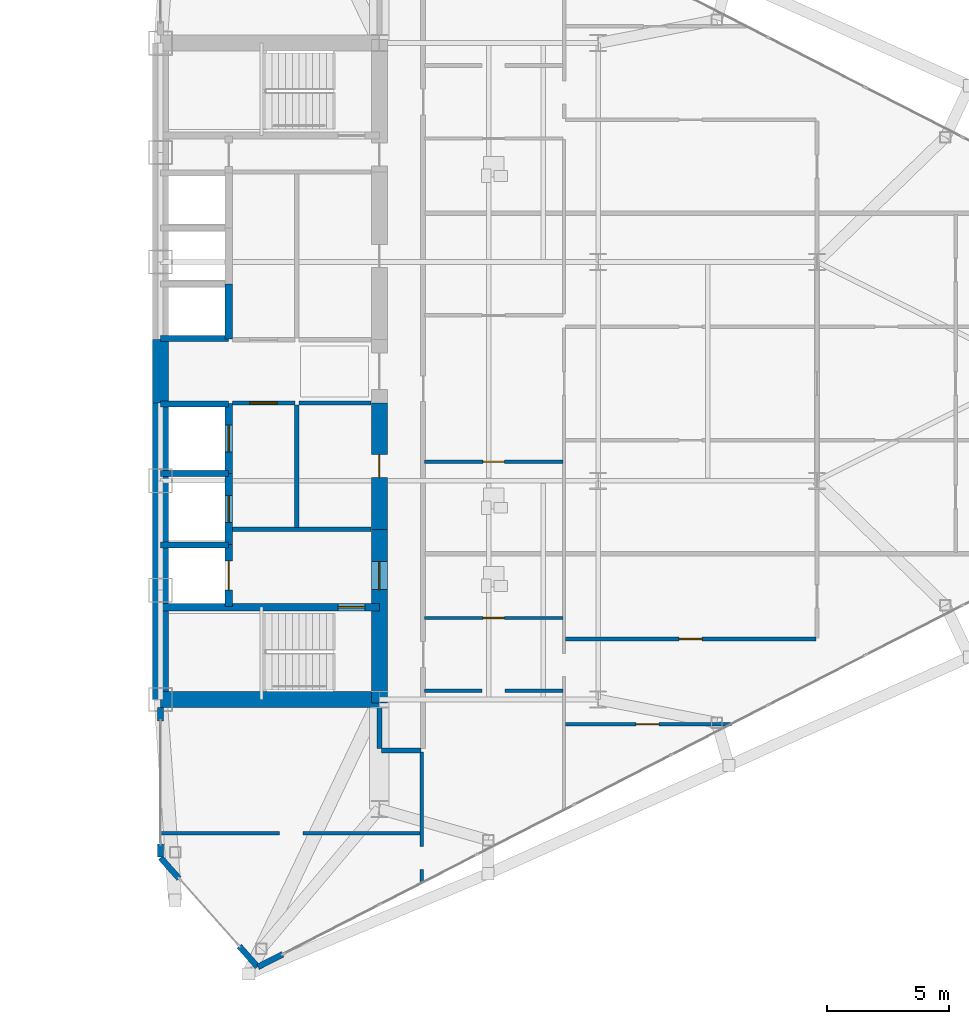
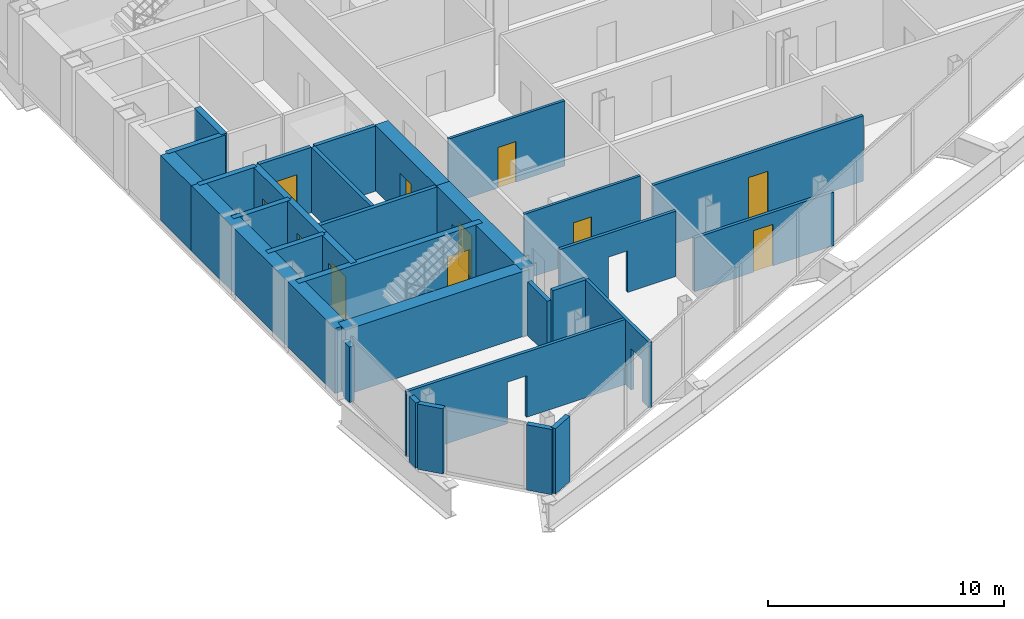
# One storey, part 22 of 28: 32 walls, 11 doors, 14 openings.
"""IFC4 building model written with IfcOpenShell, lengths in metres."""

from ifc_helpers import new_model, si_unit, direction, frame, frame_2d, origin, place, context, subcontext, project, spatial, rectangle, extrude, source, transform, mapped, material, layer, layer_set, type_object, type_shapes, element, fill, save


model = new_model("IFC4")

# Units and contexts
model_context = context("Model", 3, precision=1e-05, world=origin(), true_north=direction((0.0, 1.0)))
body_context = subcontext(model_context, "Body", "Model", "MODEL_VIEW")
ifc_project = project(units=[si_unit("LENGTHUNIT", "METRE"), si_unit("AREAUNIT", "SQUARE_METRE"), si_unit("VOLUMEUNIT", "CUBIC_METRE"), si_unit("PLANEANGLEUNIT", "RADIAN"), si_unit("MASSUNIT", "GRAM", prefix="KILO")], contexts=[model_context])

# Site, building, storey
site_placement = place(None, origin())
site = spatial("IfcSite", under=ifc_project, at=site_placement, CompositionType="ELEMENT")
building_placement = place(site_placement, origin())
building = spatial("IfcBuilding", under=site, at=building_placement, Name="Seokmaru Belvedere", CompositionType="ELEMENT")
storey_placement = place(building_placement, frame((0.0, 0.0, 110.39990234375)))
storey = spatial("IfcBuildingStorey", under=building, at=storey_placement, Name="L29", CompositionType="ELEMENT", Elevation=110.39990234375)

# Wall, opening
ifc_material_1 = material(Name="Fire-Rated Gypsum Shaftwall")
ifc_layer_1 = layer(ifc_material_1, 0.14990234375)
ifc_layer_set_1 = layer_set([ifc_layer_1], Name="Fire-Rated Gypsum Shaftwall")
wall_type_1 = type_object("IfcWallType", Name="Apartment Fire-Acoustic Room Partition 150", PredefinedType="PARTITIONING", material=ifc_layer_set_1)
wall_1_placement = place(storey_placement, frame((27.465087890625, -19.0, 0.0), z_axis=(0.0, 0.0, 1.0), x_axis=(1.0, 0.0, 0.0)))
wall_1 = element("IfcWall", 1, at=wall_1_placement, inside=storey, type_object=wall_type_1, Name="L29 Interior Partition 002", PredefinedType="PARTITIONING", context=body_context, shape_type="SweptSolid", body=[
    extrude(rectangle(XDim=10.73486328125, YDim=0.14990234375, at=frame_2d((5.367431640625, 0.0))), origin(), (0.0, 0.0, 1.0), 3.380126953125),
])
opening_1_placement = place(wall_1_placement, frame((4.93505859375, 0.0, 0.0)))
element("IfcOpeningElement", 2, at=opening_1_placement, cuts=wall_1, Name="L29 Cased Opening 043", PredefinedType="OPENING", context=body_context, shape_type="SweptSolid", body=[
    extrude(rectangle(XDim=0.949951171875, YDim=2.14990234375, at=frame_2d((0.47509765625, 1.074951171875))), frame((0.0, 0.0849609375, 0.0), z_axis=(0.0, -1.0, 0.0), x_axis=(1.0, 0.0, 0.0)), (0.0, 0.0, 1.0), 0.169921875),
])

# Wall, opening, door
wall_2_placement = place(storey_placement, frame((44.14990234375, -14.52001953125, 0.0), z_axis=(0.0, 0.0, 1.0), x_axis=(1.0, 0.0, 0.0)))
wall_2 = element("IfcWall", 3, at=wall_2_placement, inside=storey, type_object=wall_type_1, Name="L29 Interior Partition 006", PredefinedType="PARTITIONING", context=body_context, shape_type="SweptSolid", body=[
    extrude(rectangle(XDim=6.828125, YDim=0.14990234375, at=frame_2d((3.4140625, 0.0))), origin(), (0.0, 0.0, 1.0), 2.780029296875),
])
opening_2_placement = place(wall_2_placement, frame((2.896240234375, 0.0, 0.0)))
opening_2 = element("IfcOpeningElement", 4, at=opening_2_placement, cuts=wall_2, Name="Opening D05", PredefinedType="OPENING", context=body_context, shape_type="SweptSolid", body=[
    extrude(rectangle(XDim=0.949951171875, YDim=2.14990234375, at=frame_2d((0.47509765625, 1.074951171875))), frame((0.0, 0.0849609375, 0.0), z_axis=(0.0, -1.0, 0.0), x_axis=(1.0, 0.0, 0.0)), (0.0, 0.0, 1.0), 0.169921875),
])
ifc_material_2 = material(Name="Engineered White Oak Timber", Category="wood")
door_type_1 = type_object("IfcDoorType", Name="Apartment Interior Fire-Rated Oak Door 950x2150", OperationType="NOTDEFINED", PredefinedType="DOOR", material=ifc_material_2)
shared_shape_1 = source(origin(), body_context, "Body", "SweptSolid", [
    extrude(rectangle(XDim=0.949951171875, YDim=2.14990234375, at=frame_2d((0.47509765625, 1.074951171875))), frame((0.0, 0.02490234375, 0.0), z_axis=(0.0, -1.0, 0.0), x_axis=(1.0, 0.0, 0.0)), (0.0, 0.0, 1.0), 0.050048828125),
])
type_shapes(door_type_1, [shared_shape_1])
door_1_placement = place(opening_2_placement, origin())
door_1 = element("IfcDoor", 5, at=door_1_placement, inside=storey, type_object=door_type_1, Name="L29 Interior Door 040", OperationType="SINGLE_SWING_RIGHT", OverallHeight=2.14990234375, OverallWidth=0.949951171875, PredefinedType="DOOR", context=body_context, shape_type="MappedRepresentation", body=[
    mapped(shared_shape_1, transform((0.0, 0.0, 0.0), scale=1.0)),
])
fill(opening_2, door_1)

# Wall, opening
wall_3_placement = place(storey_placement, frame((38.35009765625, -13.139892578125, 0.0), z_axis=(0.0, 0.0, 1.0), x_axis=(1.0, 0.0, 0.0)))
wall_3 = element("IfcWall", 6, at=wall_3_placement, inside=storey, type_object=wall_type_1, Name="L29 Interior Partition 008", PredefinedType="PARTITIONING", context=body_context, shape_type="SweptSolid", body=[
    extrude(rectangle(XDim=5.699951171875, YDim=0.14990234375, at=frame_2d((2.85009765625, 0.0))), origin(), (0.0, 0.0, 1.0), 3.380126953125),
])
opening_3_placement = place(wall_3_placement, frame((2.375, 0.0, 0.0)))
element("IfcOpeningElement", 7, at=opening_3_placement, cuts=wall_3, Name="L29 Cased Opening 038", PredefinedType="OPENING", context=body_context, shape_type="SweptSolid", body=[
    extrude(rectangle(XDim=0.949951171875, YDim=2.14990234375, at=frame_2d((0.47509765625, 1.074951171875))), frame((0.0, 0.0849609375, 0.0), z_axis=(0.0, -1.0, 0.0), x_axis=(1.0, 0.0, 0.0)), (0.0, 0.0, 1.0), 0.169921875),
])

# Wall, opening, door
wall_4_placement = place(storey_placement, frame((44.14990234375, -11.010009765625, 0.0), z_axis=(0.0, 0.0, 1.0), x_axis=(1.0, 0.0, 0.0)))
wall_4 = element("IfcWall", 8, at=wall_4_placement, inside=storey, type_object=wall_type_1, Name="L29 Interior Partition 011", PredefinedType="PARTITIONING", context=body_context, shape_type="SweptSolid", body=[
    extrude(rectangle(XDim=10.300048828125, YDim=0.14990234375, at=frame_2d((5.14990234375, 0.0))), origin(), (0.0, 0.0, 1.0), 3.380126953125),
])
opening_4_placement = place(wall_4_placement, frame((4.675048828125, 0.0, 0.0)))
opening_4 = element("IfcOpeningElement", 9, at=opening_4_placement, cuts=wall_4, Name="Opening D05", PredefinedType="OPENING", context=body_context, shape_type="SweptSolid", body=[
    extrude(rectangle(XDim=0.949951171875, YDim=2.14990234375, at=frame_2d((0.47509765625, 1.074951171875))), frame((0.0, 0.0849609375, 0.0), z_axis=(0.0, -1.0, 0.0), x_axis=(1.0, 0.0, 0.0)), (0.0, 0.0, 1.0), 0.169921875),
])
door_2_placement = place(opening_4_placement, origin())
door_2 = element("IfcDoor", 10, at=door_2_placement, inside=storey, type_object=door_type_1, Name="L29 Interior Door 041", OperationType="SINGLE_SWING_LEFT", OverallHeight=2.14990234375, OverallWidth=0.949951171875, PredefinedType="DOOR", context=body_context, shape_type="MappedRepresentation", body=[
    mapped(shared_shape_1, transform((0.0, 0.0, 0.0), scale=1.0)),
])
fill(opening_4, door_2)

# Wall, opening
wall_5_placement = place(storey_placement, frame((38.25, -21.071044921875, 0.0), z_axis=(0.0, 0.0, 1.0), x_axis=(0.0, 1.0, 0.0)))
wall_5 = element("IfcWall", 11, at=wall_5_placement, inside=storey, type_object=wall_type_1, Name="L29 Interior Partition 049", PredefinedType="PARTITIONING", context=body_context, shape_type="SweptSolid", body=[
    extrude(rectangle(XDim=5.421142578125, YDim=0.14990234375, at=frame_2d((2.71044921875, 0.0))), origin(), (0.0, 0.0, 1.0), 3.380126953125),
])
opening_5_placement = place(wall_5_placement, frame((0.577880859375, 0.0, 0.0)))
element("IfcOpeningElement", 12, at=opening_5_placement, cuts=wall_5, Name="L29 Cased Opening 042", PredefinedType="OPENING", context=body_context, shape_type="SweptSolid", body=[
    extrude(rectangle(XDim=0.949951171875, YDim=2.14990234375, at=frame_2d((0.47509765625, 1.074951171875))), frame((0.0, 0.0849609375, 0.0), z_axis=(0.0, -1.0, 0.0), x_axis=(1.0, 0.0, 0.0)), (0.0, 0.0, 1.0), 0.169921875),
])

# Walls
ifc_layer_2 = layer(ifc_material_1, 0.179931640625)
ifc_layer_set_2 = layer_set([ifc_layer_2], Name="Fire-Rated Gypsum Shaftwall")
wall_type_2 = type_object("IfcWallType", Name="Core Service Fire Partition 180", PredefinedType="PARTITIONING", material=ifc_layer_set_2)
wall_6_placement = place(storey_placement, frame((30.449951171875, -6.5, 0.0), z_axis=(0.0, 0.0, 1.0), x_axis=(1.0, 0.0, 0.0)))
element("IfcWall", 13, at=wall_6_placement, inside=storey, type_object=wall_type_2, Name="L29 East Firefighting Lobby Partition", PredefinedType="PARTITIONING", context=body_context, shape_type="SweptSolid", body=[
    extrude(rectangle(XDim=5.699951171875, YDim=0.179931640625, at=frame_2d((2.85009765625, 0.0))), origin(), (0.0, 0.0, 1.0), 3.380126953125),
])
wall_7_placement = place(storey_placement, frame((33.10009765625, -6.419921875, 0.0), z_axis=(0.0, 0.0, 1.0), x_axis=(0.0, 1.0, 0.0)))
element("IfcWall", 14, at=wall_7_placement, inside=storey, type_object=wall_type_2, Name="L29 East South Core Service Back Wall", PredefinedType="PARTITIONING", context=body_context, shape_type="SweptSolid", body=[
    extrude(rectangle(XDim=5.0400390625, YDim=0.179931640625, at=frame_2d((2.52001953125, 0.0))), origin(), (0.0, 0.0, 1.0), 3.380126953125),
])

# Wall, opening, door
wall_8_placement = place(storey_placement, frame((30.449951171875, -1.300048828125, 0.0), z_axis=(0.0, 0.0, 1.0), x_axis=(1.0, 0.0, 0.0)))
wall_8 = element("IfcWall", 15, at=wall_8_placement, inside=storey, type_object=wall_type_2, Name="L29 East South Lift Lobby Foyer Wall", PredefinedType="PARTITIONING", context=body_context, shape_type="SweptSolid", body=[
    extrude(rectangle(XDim=2.570068359375, YDim=0.179931640625, at=frame_2d((1.28515625, 0.0))), origin(), (0.0, 0.0, 1.0), 3.380126953125),
])
opening_6_placement = place(wall_8_placement, frame((0.7099609375, 0.0, 0.0)))
opening_6 = element("IfcOpeningElement", 16, at=opening_6_placement, cuts=wall_8, Name="Opening D02", PredefinedType="OPENING", context=body_context, shape_type="SweptSolid", body=[
    extrude(rectangle(XDim=1.14990234375, YDim=2.199951171875, at=frame_2d((0.574951171875, 1.10009765625))), frame((0.0, 0.10009765625, 0.0), z_axis=(0.0, -1.0, 0.0), x_axis=(1.0, 0.0, 0.0)), (0.0, 0.0, 1.0), 0.199951171875),
])
ifc_material_3 = material(Name="Fire-Rated Steel Leaf", Category="steel")
door_type_2 = type_object("IfcDoorType", Name="Lobby and Vestibule Fire Door 1150x2200", OperationType="NOTDEFINED", PredefinedType="DOOR", material=ifc_material_3)
shared_shape_2 = source(origin(), body_context, "Body", "SweptSolid", [
    extrude(rectangle(XDim=1.14990234375, YDim=2.199951171875, at=frame_2d((0.574951171875, 1.10009765625))), frame((0.0, 0.02490234375, 0.0), z_axis=(0.0, -1.0, 0.0), x_axis=(1.0, 0.0, 0.0)), (0.0, 0.0, 1.0), 0.050048828125),
])
type_shapes(door_type_2, [shared_shape_2])
door_3_placement = place(opening_6_placement, origin())
door_3 = element("IfcDoor", 17, at=door_3_placement, inside=storey, type_object=door_type_2, Name="L29 East South Core Foyer Door", OperationType="SINGLE_SWING_RIGHT", OverallHeight=2.199951171875, OverallWidth=1.14990234375, PredefinedType="DOOR", context=body_context, shape_type="MappedRepresentation", body=[
    mapped(shared_shape_2, transform((0.0, 0.0, 0.0), scale=1.0)),
])
fill(opening_6, door_3)

# Walls
wall_9_placement = place(storey_placement, frame((33.199951171875, -1.300048828125, 0.0), z_axis=(0.0, 0.0, 1.0), x_axis=(1.0, 0.0, 0.0)))
element("IfcWall", 18, at=wall_9_placement, inside=storey, type_object=wall_type_2, Name="L29 East Foyer Side Wall S", PredefinedType="PARTITIONING", context=body_context, shape_type="SweptSolid", body=[
    extrude(rectangle(XDim=2.949951171875, YDim=0.179931640625, at=frame_2d((1.47509765625, 0.0))), origin(), (0.0, 0.0, 1.0), 3.380126953125),
])
ifc_material_4 = material(Name="Concrete C50 (50 MPa)", Category="concrete")
ifc_layer_3 = layer(ifc_material_4, 0.25)
ifc_layer_set_3 = layer_set([ifc_layer_3], Name="Concrete C50 (50 MPa)")
wall_type_3 = type_object("IfcWallType", Name="Hoistway Transverse Concrete Divider Wall 250", PredefinedType="SHEAR", material=ifc_layer_set_3)
for number, where, z_axis, x_axis, name in (
    (19, (27.5, -7.14990234375, 0.0), (0.0, 0.0, 1.0), (1.0, 0.0, 0.0), "L29 East Hoistway Divider Core Wall 1"),
    (20, (27.5, -4.199951171875, 0.0), (0.0, 0.0, 1.0), (1.0, 0.0, 0.0), "L29 East Hoistway Divider Core Wall 2"),
    (21, (27.5, -1.35009765625, 0.0), (0.0, 0.0, 1.0), (1.0, 0.0, 0.0), "L29 East Hoistway Divider Core Wall 3"),
    (22, (27.5, 1.35009765625, 0.0), (0.0, 0.0, 1.0), (1.0, 0.0, 0.0), "L29 East Hoistway Divider Core Wall 4"),
):
    element("IfcWall", number, at=place(storey_placement, frame(where, z_axis=z_axis, x_axis=x_axis)), inside=storey, type_object=wall_type_3, Name=name, PredefinedType="SHEAR", context=body_context, shape_type="SweptSolid", body=[
        extrude(rectangle(XDim=2.800048828125, YDim=0.25, at=frame_2d((1.39990234375, 0.0))), origin(), (0.0, 0.0, 1.0), 3.380126953125),
    ])
ifc_layer_4 = layer(ifc_material_1, 0.199951171875)
ifc_layer_set_4 = layer_set([ifc_layer_4], Name="Fire-Rated Gypsum Shaftwall")
wall_type_4 = type_object("IfcWallType", Name="Inter-Tenancy Fire Compartment Partition 200", PredefinedType="PARTITIONING", material=ifc_layer_set_4)
wall_10_placement = place(storey_placement, frame((36.5849609375, -15.60009765625, 0.0), z_axis=(0.0, 0.0, 1.0), x_axis=(1.0, 0.0, 0.0)))
element("IfcWall", 23, at=wall_10_placement, inside=storey, type_object=wall_type_4, Name="L29 Interior Partition 005", PredefinedType="PARTITIONING", context=body_context, shape_type="SweptSolid", body=[
    extrude(rectangle(XDim=1.630126953125, YDim=0.199951171875, at=frame_2d((0.81494140625, 0.0))), origin(), (0.0, 0.0, 1.0), 3.380126953125),
])
wall_11_placement = place(storey_placement, frame((36.5, -15.514892578125, 0.0), z_axis=(0.0, 0.0, 1.0), x_axis=(0.0, 1.0, 0.0)))
element("IfcWall", 24, at=wall_11_placement, inside=storey, type_object=wall_type_4, Name="L29 Interior Partition 047", PredefinedType="PARTITIONING", context=body_context, shape_type="SweptSolid", body=[
    extrude(rectangle(XDim=1.684814453125, YDim=0.199951171875, at=frame_2d((0.84228515625, 0.0))), origin(), (0.0, 0.0, 1.0), 2.780029296875),
])

# Wall, opening, door
ifc_layer_5 = layer(ifc_material_4, 0.300048828125)
ifc_layer_set_5 = layer_set([ifc_layer_5], Name="Concrete C50 (50 MPa)")
wall_type_5 = type_object("IfcWallType", Name="Internal Core Stair and Hoistway Wall 300", PredefinedType="SHEAR", material=ifc_layer_set_5)
wall_12_placement = place(storey_placement, frame((27.5, -9.699951171875, 0.0), z_axis=(0.0, 0.0, 1.0), x_axis=(1.0, 0.0, 0.0)))
wall_12 = element("IfcWall", 25, at=wall_12_placement, inside=storey, type_object=wall_type_5, Name="L29 East Stair ST-1 Enclosure Wall", PredefinedType="SHEAR", context=body_context, shape_type="SweptSolid", body=[
    extrude(rectangle(XDim=9.0, YDim=0.300048828125, at=frame_2d((4.5, 0.0))), origin(), (0.0, 0.0, 1.0), 3.380126953125),
])
opening_7_placement = place(wall_12_placement, frame((7.300048828125, 0.0, 0.0)))
opening_7 = element("IfcOpeningElement", 26, at=opening_7_placement, cuts=wall_12, Name="Opening D01", PredefinedType="OPENING", context=body_context, shape_type="SweptSolid", body=[
    extrude(rectangle(XDim=1.10009765625, YDim=2.199951171875, at=frame_2d((0.550048828125, 1.10009765625))), frame((0.0, 0.16015625, 0.0), z_axis=(0.0, -1.0, 0.0), x_axis=(1.0, 0.0, 0.0)), (0.0, 0.0, 1.0), 0.320068359375),
])
door_type_3 = type_object("IfcDoorType", Name="Special Escape Stair Smokeproof Fire Door 1100x2200", OperationType="NOTDEFINED", PredefinedType="DOOR", material=ifc_material_3)
shared_shape_3 = source(origin(), body_context, "Body", "SweptSolid", [
    extrude(rectangle(XDim=1.10009765625, YDim=2.199951171875, at=frame_2d((0.550048828125, 1.10009765625))), frame((0.0, 0.02490234375, 0.0), z_axis=(0.0, -1.0, 0.0), x_axis=(1.0, 0.0, 0.0)), (0.0, 0.0, 1.0), 0.050048828125),
])
type_shapes(door_type_3, [shared_shape_3])
door_4_placement = place(opening_7_placement, frame((1.10009765625, 0.0, 0.0), z_axis=(0.0, 0.0, 1.0), x_axis=(-1.0, 0.0, 0.0)))
door_4 = element("IfcDoor", 27, at=door_4_placement, inside=storey, type_object=door_type_3, Name="L29 East Special Escape Stair ST-1 Door", OperationType="SINGLE_SWING_RIGHT", OverallHeight=2.199951171875, OverallWidth=1.10009765625, PredefinedType="DOOR", context=body_context, shape_type="MappedRepresentation", body=[
    mapped(shared_shape_3, transform((0.0, 0.0, 0.0), scale=1.0)),
])
fill(opening_7, door_4)

wall_13_placement = place(storey_placement, frame((30.300048828125, -9.679931640625, 0.0), z_axis=(0.0, 0.0, 1.0), x_axis=(0.0, 1.0, 0.0)))
wall_13 = element("IfcWall", 28, at=wall_13_placement, inside=storey, type_object=wall_type_5, Name="L29 East Firefighting Lift Shaft Front Wall", PredefinedType="SHEAR", context=body_context, shape_type="SweptSolid", body=[
    extrude(rectangle(XDim=2.559814453125, YDim=0.300048828125, at=frame_2d((1.27978515625, 0.0))), origin(), (0.0, 0.0, 1.0), 3.380126953125),
])
opening_8_placement = place(wall_13_placement, frame((0.679931640625, 0.0, 0.0)))
opening_8 = element("IfcOpeningElement", 29, at=opening_8_placement, cuts=wall_13, Name="Opening LD2", PredefinedType="OPENING", context=body_context, shape_type="SweptSolid", body=[
    extrude(rectangle(XDim=1.199951171875, YDim=2.25, at=frame_2d((0.60009765625, 1.125))), frame((0.0, 0.16015625, 0.0), z_axis=(0.0, -1.0, 0.0), x_axis=(1.0, 0.0, 0.0)), (0.0, 0.0, 1.0), 0.320068359375),
])
ifc_material_5 = material(Name="Stainless Steel 316", Category="steel")
door_type_4 = type_object("IfcDoorType", Name="Firefighting Lift Sliding Landing Door 1200x2250", OperationType="DOUBLE_DOOR_SLIDING", PredefinedType="DOOR", material=ifc_material_5)
shared_shape_4 = source(origin(), body_context, "Body", "SweptSolid", [
    extrude(rectangle(XDim=1.199951171875, YDim=2.25, at=frame_2d((0.60009765625, 1.125))), frame((0.0, 0.02490234375, 0.0), z_axis=(0.0, -1.0, 0.0), x_axis=(1.0, 0.0, 0.0)), (0.0, 0.0, 1.0), 0.050048828125),
])
type_shapes(door_type_4, [shared_shape_4])
door_5_placement = place(opening_8_placement, origin())
door_5 = element("IfcDoor", 30, at=door_5_placement, inside=storey, type_object=door_type_4, Name="L29 East Firefighting Lift Landing Door", OperationType="DOUBLE_DOOR_SLIDING", OverallHeight=2.25, OverallWidth=1.199951171875, PredefinedType="DOOR", context=body_context, shape_type="MappedRepresentation", body=[
    mapped(shared_shape_4, transform((0.0, 0.0, 0.0), scale=1.0)),
])
fill(opening_8, door_5)

wall_14_placement = place(storey_placement, frame((30.300048828125, -7.1201171875, 0.0), z_axis=(0.0, 0.0, 1.0), x_axis=(0.0, 1.0, 0.0)))
wall_14 = element("IfcWall", 31, at=wall_14_placement, inside=storey, type_object=wall_type_5, Name="L29 East Low-Rise Lift PL-1 Front Wall", PredefinedType="SHEAR", context=body_context, shape_type="SweptSolid", body=[
    extrude(rectangle(XDim=2.920166015625, YDim=0.300048828125, at=frame_2d((1.4599609375, 0.0))), origin(), (0.0, 0.0, 1.0), 3.380126953125),
])
opening_9_placement = place(wall_14_placement, frame((0.909912109375, 0.0, 0.0)))
opening_9 = element("IfcOpeningElement", 32, at=opening_9_placement, cuts=wall_14, Name="Opening LD1", PredefinedType="OPENING", context=body_context, shape_type="SweptSolid", body=[
    extrude(rectangle(XDim=1.10009765625, YDim=2.199951171875, at=frame_2d((0.550048828125, 1.10009765625))), frame((0.0, 0.16015625, 0.0), z_axis=(0.0, -1.0, 0.0), x_axis=(1.0, 0.0, 0.0)), (0.0, 0.0, 1.0), 0.320068359375),
])
door_type_5 = type_object("IfcDoorType", Name="Passenger Lift Sliding Landing Door 1100x2200", OperationType="DOUBLE_DOOR_SLIDING", PredefinedType="DOOR", material=ifc_material_5)
shared_shape_5 = source(origin(), body_context, "Body", "SweptSolid", [
    extrude(rectangle(XDim=1.10009765625, YDim=2.199951171875, at=frame_2d((0.550048828125, 1.10009765625))), frame((0.0, 0.02490234375, 0.0), z_axis=(0.0, -1.0, 0.0), x_axis=(1.0, 0.0, 0.0)), (0.0, 0.0, 1.0), 0.050048828125),
])
type_shapes(door_type_5, [shared_shape_5])
door_6_placement = place(opening_9_placement, origin())
door_6 = element("IfcDoor", 33, at=door_6_placement, inside=storey, type_object=door_type_5, Name="L29 East Low-Rise Lift PL-1 Landing Door", OperationType="DOUBLE_DOOR_SLIDING", OverallHeight=2.199951171875, OverallWidth=1.10009765625, PredefinedType="DOOR", context=body_context, shape_type="MappedRepresentation", body=[
    mapped(shared_shape_5, transform((0.0, 0.0, 0.0), scale=1.0)),
])
fill(opening_9, door_6)

wall_15_placement = place(storey_placement, frame((30.300048828125, -4.199951171875, 0.0), z_axis=(0.0, 0.0, 1.0), x_axis=(0.0, 1.0, 0.0)))
wall_15 = element("IfcWall", 34, at=wall_15_placement, inside=storey, type_object=wall_type_5, Name="L29 East Low-Rise Lift PL-2 Front Wall", PredefinedType="SHEAR", context=body_context, shape_type="SweptSolid", body=[
    extrude(rectangle(XDim=2.8798828125, YDim=0.300048828125, at=frame_2d((1.43994140625, 0.0))), origin(), (0.0, 0.0, 1.0), 3.380126953125),
])
opening_10_placement = place(wall_15_placement, frame((0.889892578125, 0.0, 0.0)))
opening_10 = element("IfcOpeningElement", 35, at=opening_10_placement, cuts=wall_15, Name="Opening LD1", PredefinedType="OPENING", context=body_context, shape_type="SweptSolid", body=[
    extrude(rectangle(XDim=1.10009765625, YDim=2.199951171875, at=frame_2d((0.550048828125, 1.10009765625))), frame((0.0, 0.16015625, 0.0), z_axis=(0.0, -1.0, 0.0), x_axis=(1.0, 0.0, 0.0)), (0.0, 0.0, 1.0), 0.320068359375),
])
door_7_placement = place(opening_10_placement, origin())
door_7 = element("IfcDoor", 36, at=door_7_placement, inside=storey, type_object=door_type_5, Name="L29 East Low-Rise Lift PL-2 Landing Door", OperationType="DOUBLE_DOOR_SLIDING", OverallHeight=2.199951171875, OverallWidth=1.10009765625, PredefinedType="DOOR", context=body_context, shape_type="MappedRepresentation", body=[
    mapped(shared_shape_5, transform((0.0, 0.0, 0.0), scale=1.0)),
])
fill(opening_10, door_7)

# Walls
wall_16_placement = place(storey_placement, frame((30.300048828125, 1.320068359375, 0.0), z_axis=(0.0, 0.0, 1.0), x_axis=(0.0, 1.0, 0.0)))
element("IfcWall", 37, at=wall_16_placement, inside=storey, type_object=wall_type_5, Name="L29 East North Hoistway Wall PH1", PredefinedType="SHEAR", context=body_context, shape_type="SweptSolid", body=[
    extrude(rectangle(XDim=2.280029296875, YDim=0.300048828125, at=frame_2d((1.14013671875, 0.0))), origin(), (0.0, 0.0, 1.0), 3.380126953125),
])
ifc_material_6 = material(Name="Concrete C60 (60 MPa)", Category="concrete")
ifc_layer_6 = layer(ifc_material_6, 0.64990234375)
ifc_layer_set_6 = layer_set([ifc_layer_6], Name="Concrete C60 (60 MPa)")
wall_type_6 = type_object("IfcWallType", Name="Mid-Low Reinforced Concrete Core Wall 650", PredefinedType="SHEAR", material=ifc_layer_set_6)
wall_17_placement = place(storey_placement, frame((27.5, -13.5, 0.0), z_axis=(0.0, 0.0, 1.0), x_axis=(0.0, 1.0, 0.0)))
element("IfcWall", 38, at=wall_17_placement, inside=storey, type_object=wall_type_6, Name="L29 East Portal Spine Core Wall South", PredefinedType="SHEAR", context=body_context, shape_type="SweptSolid", body=[
    extrude(rectangle(XDim=12.199951171875, YDim=0.64990234375, at=frame_2d((6.10009765625, 0.0))), origin(), (0.0, 0.0, 1.0), 3.380126953125),
])
wall_18_placement = place(storey_placement, frame((27.5, -1.300048828125, 0.0), z_axis=(0.0, 0.0, 1.0), x_axis=(0.0, 1.0, 0.0)))
element("IfcWall", 39, at=wall_18_placement, inside=storey, type_object=wall_type_6, Name="L29 East Portal Spine Core Wall Center", PredefinedType="SHEAR", context=body_context, shape_type="SweptSolid", body=[
    extrude(rectangle(XDim=2.60009765625, YDim=0.64990234375, at=frame_2d((1.300048828125, 0.0))), origin(), (0.0, 0.0, 1.0), 3.380126953125),
])
wall_19_placement = place(storey_placement, frame((27.5, -13.5, 0.0), z_axis=(0.0, 0.0, 1.0), x_axis=(1.0, 0.0, 0.0)))
element("IfcWall", 40, at=wall_19_placement, inside=storey, type_object=wall_type_6, Name="L29 East South Core Wall", PredefinedType="SHEAR", context=body_context, shape_type="SweptSolid", body=[
    extrude(rectangle(XDim=9.0, YDim=0.64990234375, at=frame_2d((4.5, 0.0))), origin(), (0.0, 0.0, 1.0), 3.380126953125),
])

# Wall, opening, door
wall_20_placement = place(storey_placement, frame((36.5, -13.64990234375, 0.0), z_axis=(0.0, 0.0, 1.0), x_axis=(0.0, 1.0, 0.0)))
wall_20 = element("IfcWall", 41, at=wall_20_placement, inside=storey, type_object=wall_type_6, Name="L29 East West Core Wall FF", PredefinedType="SHEAR", context=body_context, shape_type="SweptSolid", body=[
    extrude(rectangle(XDim=7.14990234375, YDim=0.64990234375, at=frame_2d((3.574951171875, 0.0))), origin(), (0.0, 0.0, 1.0), 3.380126953125),
])
opening_11_placement = place(wall_20_placement, frame((4.675048828125, 0.0, 0.0)))
opening_11 = element("IfcOpeningElement", 42, at=opening_11_placement, cuts=wall_20, Name="Opening D02", PredefinedType="OPENING", context=body_context, shape_type="SweptSolid", body=[
    extrude(rectangle(XDim=1.14990234375, YDim=2.199951171875, at=frame_2d((0.574951171875, 1.10009765625))), frame((0.0, 0.3349609375, 0.0), z_axis=(0.0, -1.0, 0.0), x_axis=(1.0, 0.0, 0.0)), (0.0, 0.0, 1.0), 0.669921875),
])
door_8_placement = place(opening_11_placement, origin())
door_8 = element("IfcDoor", 43, at=door_8_placement, inside=storey, type_object=door_type_2, Name="L29 East Firefighting Lobby Door", OperationType="SINGLE_SWING_RIGHT", OverallHeight=2.199951171875, OverallWidth=1.14990234375, PredefinedType="DOOR", context=body_context, shape_type="MappedRepresentation", body=[
    mapped(shared_shape_2, transform((0.0, 0.0, 0.0), scale=1.0)),
])
fill(opening_11, door_8)

wall_21_placement = place(storey_placement, frame((36.5, -6.5, 0.0), z_axis=(0.0, 0.0, 1.0), x_axis=(0.0, 1.0, 0.0)))
wall_21 = element("IfcWall", 44, at=wall_21_placement, inside=storey, type_object=wall_type_6, Name="L29 East West Core Wall CS1", PredefinedType="SHEAR", context=body_context, shape_type="SweptSolid", body=[
    extrude(rectangle(XDim=5.199951171875, YDim=0.64990234375, at=frame_2d((2.60009765625, 0.0))), origin(), (0.0, 0.0, 1.0), 3.380126953125),
])
opening_12_placement = place(wall_21_placement, frame((2.125, 0.0, 0.0)))
opening_12 = element("IfcOpeningElement", 45, at=opening_12_placement, cuts=wall_21, Name="Opening D04", PredefinedType="OPENING", context=body_context, shape_type="SweptSolid", body=[
    extrude(rectangle(XDim=0.949951171875, YDim=2.14990234375, at=frame_2d((0.47509765625, 1.074951171875))), frame((0.0, 0.3349609375, 0.0), z_axis=(0.0, -1.0, 0.0), x_axis=(1.0, 0.0, 0.0)), (0.0, 0.0, 1.0), 0.669921875),
])
door_type_6 = type_object("IfcDoorType", Name="Core Service Room Fire Door 950x2150", OperationType="NOTDEFINED", PredefinedType="DOOR", material=ifc_material_3)
shared_shape_6 = source(origin(), body_context, "Body", "SweptSolid", [
    extrude(rectangle(XDim=0.949951171875, YDim=2.14990234375, at=frame_2d((0.47509765625, 1.074951171875))), frame((0.0, 0.02490234375, 0.0), z_axis=(0.0, -1.0, 0.0), x_axis=(1.0, 0.0, 0.0)), (0.0, 0.0, 1.0), 0.050048828125),
])
type_shapes(door_type_6, [shared_shape_6])
door_9_placement = place(opening_12_placement, origin())
door_9 = element("IfcDoor", 46, at=door_9_placement, inside=storey, type_object=door_type_6, Name="L29 East Core Service Room Door 1", OperationType="SINGLE_SWING_RIGHT", OverallHeight=2.14990234375, OverallWidth=0.949951171875, PredefinedType="DOOR", context=body_context, shape_type="MappedRepresentation", body=[
    mapped(shared_shape_6, transform((0.0, 0.0, 0.0), scale=1.0)),
])
fill(opening_12, door_9)

ifc_layer_7 = layer(ifc_material_1, 0.1298828125)
ifc_layer_set_7 = layer_set([ifc_layer_7], Name="Fire-Rated Gypsum Shaftwall")
wall_type_7 = type_object("IfcWallType", Name="Moisture-Resistant Fire-Rated Bathroom Partition 130", PredefinedType="PARTITIONING", material=ifc_layer_set_7)
wall_22_placement = place(storey_placement, frame((38.35009765625, -10.139892578125, 0.0), z_axis=(0.0, 0.0, 1.0), x_axis=(1.0, 0.0, 0.0)))
wall_22 = element("IfcWall", 47, at=wall_22_placement, inside=storey, type_object=wall_type_7, Name="L29 Interior Partition 012", PredefinedType="PARTITIONING", context=body_context, shape_type="SweptSolid", body=[
    extrude(rectangle(XDim=5.699951171875, YDim=0.1298828125, at=frame_2d((2.85009765625, 0.0))), origin(), (0.0, 0.0, 1.0), 3.380126953125),
])
opening_13_placement = place(wall_22_placement, frame((2.409912109375, 0.0, 0.0)))
opening_13 = element("IfcOpeningElement", 48, at=opening_13_placement, cuts=wall_22, Name="Opening D06", PredefinedType="OPENING", context=body_context, shape_type="SweptSolid", body=[
    extrude(rectangle(XDim=0.8798828125, YDim=2.10009765625, at=frame_2d((0.43994140625, 1.050048828125))), frame((0.0, 0.074951171875, 0.0), z_axis=(0.0, -1.0, 0.0), x_axis=(1.0, 0.0, 0.0)), (0.0, 0.0, 1.0), 0.14990234375),
])
door_type_7 = type_object("IfcDoorType", Name="Bathroom and Restroom Fire-Rated Door 880x2100", OperationType="NOTDEFINED", PredefinedType="DOOR", material=ifc_material_2)
shared_shape_7 = source(origin(), body_context, "Body", "SweptSolid", [
    extrude(rectangle(XDim=0.8798828125, YDim=2.10009765625, at=frame_2d((0.43994140625, 1.050048828125))), frame((0.0, 0.02490234375, 0.0), z_axis=(0.0, -1.0, 0.0), x_axis=(1.0, 0.0, 0.0)), (0.0, 0.0, 1.0), 0.050048828125),
])
type_shapes(door_type_7, [shared_shape_7])
door_10_placement = place(opening_13_placement, origin())
door_10 = element("IfcDoor", 49, at=door_10_placement, inside=storey, type_object=door_type_7, Name="L29 Interior Door 037", OperationType="SINGLE_SWING_RIGHT", OverallHeight=2.10009765625, OverallWidth=0.8798828125, PredefinedType="DOOR", context=body_context, shape_type="MappedRepresentation", body=[
    mapped(shared_shape_7, transform((0.0, 0.0, 0.0), scale=1.0)),
])
fill(opening_13, door_10)

wall_23_placement = place(storey_placement, frame((38.35009765625, -3.719970703125, 0.0), z_axis=(0.0, 0.0, 1.0), x_axis=(1.0, 0.0, 0.0)))
wall_23 = element("IfcWall", 50, at=wall_23_placement, inside=storey, type_object=wall_type_7, Name="L29 Interior Partition 017", PredefinedType="PARTITIONING", context=body_context, shape_type="SweptSolid", body=[
    extrude(rectangle(XDim=5.699951171875, YDim=0.1298828125, at=frame_2d((2.85009765625, 0.0))), origin(), (0.0, 0.0, 1.0), 3.380126953125),
])
opening_14_placement = place(wall_23_placement, frame((2.409912109375, 0.0, 0.0)))
opening_14 = element("IfcOpeningElement", 51, at=opening_14_placement, cuts=wall_23, Name="Opening D06", PredefinedType="OPENING", context=body_context, shape_type="SweptSolid", body=[
    extrude(rectangle(XDim=0.8798828125, YDim=2.10009765625, at=frame_2d((0.43994140625, 1.050048828125))), frame((0.0, 0.074951171875, 0.0), z_axis=(0.0, -1.0, 0.0), x_axis=(1.0, 0.0, 0.0)), (0.0, 0.0, 1.0), 0.14990234375),
])
door_11_placement = place(opening_14_placement, origin())
door_11 = element("IfcDoor", 52, at=door_11_placement, inside=storey, type_object=door_type_7, Name="L29 Interior Door 046", OperationType="SINGLE_SWING_RIGHT", OverallHeight=2.10009765625, OverallWidth=0.8798828125, PredefinedType="DOOR", context=body_context, shape_type="MappedRepresentation", body=[
    mapped(shared_shape_7, transform((0.0, 0.0, 0.0), scale=1.0)),
])
fill(opening_14, door_11)

# Walls
ifc_material_7 = material(Name="Anodised Bronze Aluminium", Category="aluminium")
ifc_layer_8 = layer(ifc_material_7, 0.239990234375)
ifc_layer_set_8 = layer_set([ifc_layer_8], Name="Anodised Bronze Aluminium")
wall_type_8 = type_object("IfcWallType", Name="Tower Corner Spandrel Closure Wall 240", PredefinedType="SOLIDWALL", material=ifc_layer_set_8)
wall_24_placement = place(storey_placement, frame((31.5087890625, -24.495361328125, 0.0), z_axis=(0.0, 0.0, 1.0), x_axis=(0.889797395748, 0.456355776255, 0.0)))
element("IfcWall", 53, at=wall_24_placement, inside=storey, type_object=wall_type_8, Name="L29 E Corner Closure Pier 1A", PredefinedType="SOLIDWALL", context=body_context, shape_type="SweptSolid", body=[
    extrude(rectangle(XDim=1.14013671875, YDim=0.239990234375, at=frame_2d((0.570068359375, 0.0))), origin(), (0.0, 0.0, 1.0), 3.380126953125),
])
wall_25_placement = place(storey_placement, frame((27.5, -19.97998046875, 0.0), z_axis=(0.0, 0.0, 1.0), x_axis=(0.0, 1.0, 0.0)))
element("IfcWall", 54, at=wall_25_placement, inside=storey, type_object=wall_type_8, Name="L29 E Spine Closure Pier 1A", PredefinedType="SOLIDWALL", context=body_context, shape_type="SweptSolid", body=[
    extrude(rectangle(XDim=0.550048828125, YDim=0.239990234375, at=frame_2d((0.27490234375, 0.0))), origin(), (0.0, 0.0, 1.0), 3.380126953125),
])
wall_26_placement = place(storey_placement, frame((27.5, -14.3798828125, 0.0), z_axis=(0.0, 0.0, 1.0), x_axis=(0.0, 1.0, 0.0)))
element("IfcWall", 55, at=wall_26_placement, inside=storey, type_object=wall_type_8, Name="L29 E Spine Closure Pier 1B", PredefinedType="SOLIDWALL", context=body_context, shape_type="SweptSolid", body=[
    extrude(rectangle(XDim=0.5498046875, YDim=0.239990234375, at=frame_2d((0.27490234375, 0.0))), origin(), (0.0, 0.0, 1.0), 2.880126953125),
])
for number, where, z_axis, x_axis, name in (
    (56, (27.506591796875, -20.007568359375, 0.0), (0.0, 0.0, 1.0), (0.664337252513, -0.747432950119, 0.0), "L29 E Corner Closure Pier 6A"),
    (57, (30.736083984375, -23.640380859375, 0.0), (0.0, 0.0, 1.0), (0.664337252513, -0.747432950119, 0.0), "L29 E Corner Closure Pier 6B"),
):
    element("IfcWall", number, at=place(storey_placement, frame(where, z_axis=z_axis, x_axis=x_axis)), inside=storey, type_object=wall_type_8, Name=name, PredefinedType="SOLIDWALL", context=body_context, shape_type="SweptSolid", body=[
        extrude(rectangle(XDim=1.139892578125, YDim=0.239990234375, at=frame_2d((0.56982421875, 0.0))), origin(), (0.0, 0.0, 1.0), 3.380126953125),
    ])

save(model, "model.ifc")
